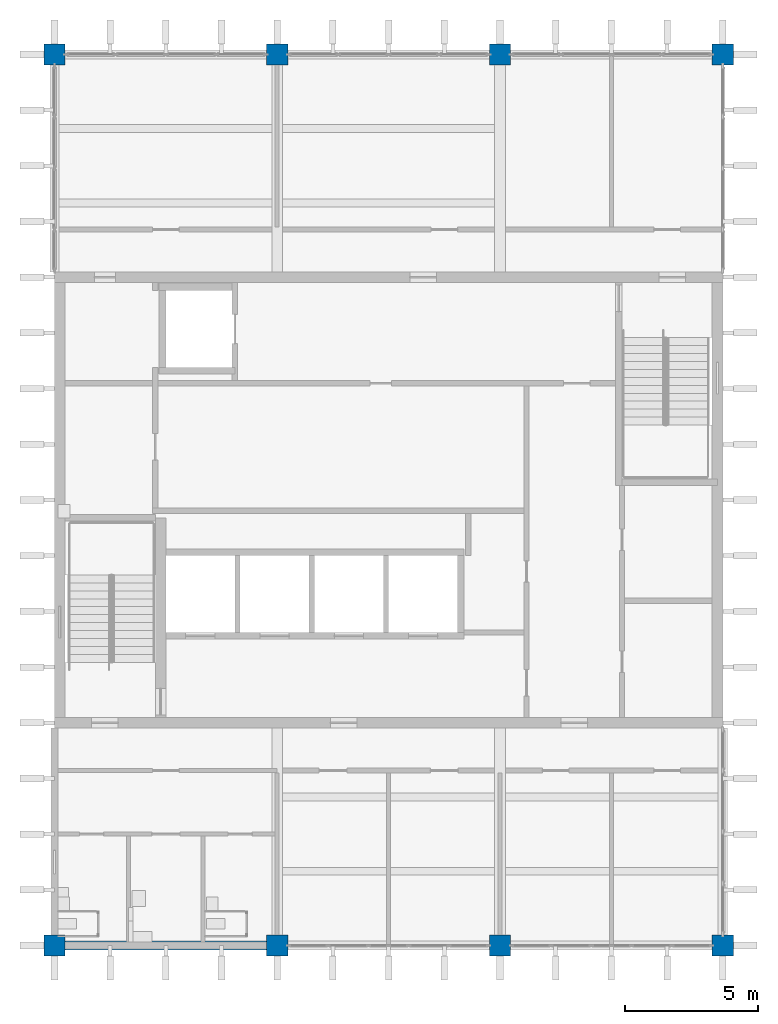
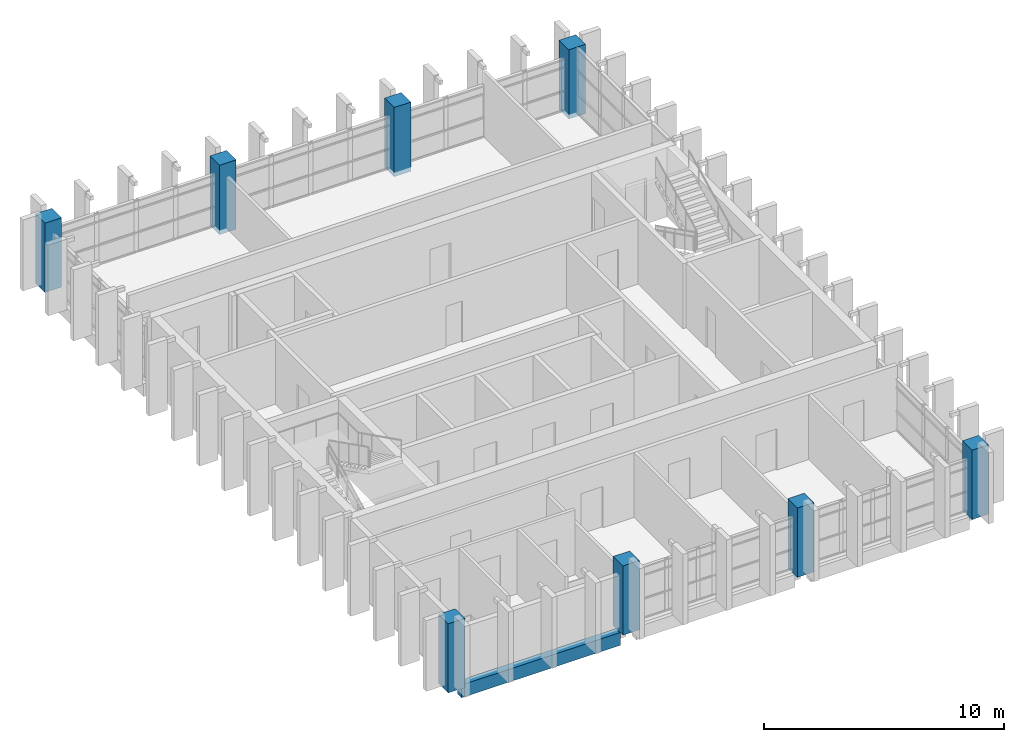
# One storey, part 1 of 11: 8 columns, 1 beam.
"""IFC4 building model written with IfcOpenShell, lengths in metres."""

import ifcopenshell
import ifcopenshell.guid

model = None  # the IFC model being written
_history = None  # IfcOwnerHistory: only IFC2X3 demands one
_inside = {}  # id of a spatial element -> (the spatial element, [elements in it])
_under = {}  # id of a project, library or spatial element -> (it, [spatial elements below it])
_declared = {}  # id of a project -> (the project, [libraries it declares])
_typed = {}  # id of a type object -> (the type object, [elements of that type])
_made_of = {}  # id of a material, layer set ... -> (it, [elements and type objects made of it])


def new_model(schema):
    """Start an empty IFC model of exactly this schema.

    Asked for "IFC4X3", IfcOpenShell would pick the latest addendum, in which some entities
    have other attributes; the version numbers below select the first issue.
    IFC2X3 requires an IfcOwnerHistory on every rooted entity: one is made here for all.
    """
    global model, _history
    if schema == "IFC4X3":
        model = ifcopenshell.file(schema_version=(4, 3, 0, 0))
    else:
        model = ifcopenshell.file(schema=schema)
    _inside.clear()
    _under.clear()
    _declared.clear()
    _typed.clear()
    _made_of.clear()
    _history = None
    if model.schema == "IFC2X3":
        org = make("IfcOrganization", Name="unknown")
        user = make(
            "IfcPersonAndOrganization",
            ThePerson=make("IfcPerson", FamilyName="unknown"),
            TheOrganization=org,
        )
        app = make(
            "IfcApplication",
            ApplicationDeveloper=org,
            Version="unknown",
            ApplicationFullName="unknown",
            ApplicationIdentifier="unknown",
        )
        _history = make(
            "IfcOwnerHistory",
            OwningUser=user,
            OwningApplication=app,
            ChangeAction="ADDED",
            CreationDate=0,
        )
    return model


def make(cls, **values):
    """One entity of the class cls with the attributes given. An attribute that is None is left unset."""
    return model.create_entity(
        cls, **{name: value for name, value in values.items() if value is not None}
    )


def rooted(cls, **values):
    """An entity with a GlobalId (a new one), such as an element, a storey or a relation."""
    return make(cls, GlobalId=ifcopenshell.guid.new(), OwnerHistory=_history, **values)


def si_unit(unit_type, name, prefix=None):
    """IfcSIUnit, for example si_unit("LENGTHUNIT", "METRE", prefix="MILLI")."""
    return make("IfcSIUnit", UnitType=unit_type, Prefix=prefix, Name=name)


def assignment(units):
    """IfcUnitAssignment: the units of a project."""
    return None if units is None else make("IfcUnitAssignment", Units=units)


def point(xyz):
    """IfcCartesianPoint."""
    return None if xyz is None else make("IfcCartesianPoint", Coordinates=xyz)


def direction(xyz):
    """IfcDirection."""
    return None if xyz is None else make("IfcDirection", DirectionRatios=xyz)


def frame(location, z_axis=None, x_axis=None):
    """IfcAxis2Placement3D, a coordinate frame: its origin and axes. An axis left out is left unset."""
    return make(
        "IfcAxis2Placement3D",
        Location=point(location),
        Axis=direction(z_axis),
        RefDirection=direction(x_axis),
    )


def frame_2d(location, x_axis=None):
    """IfcAxis2Placement2D, a coordinate frame in the plane: its origin and x axis."""
    return make(
        "IfcAxis2Placement2D", Location=point(location), RefDirection=direction(x_axis)
    )


def origin():
    """The frame at (0, 0, 0) with its axes left unset."""
    return frame((0.0, 0.0, 0.0))


def origin_2d():
    """The frame at (0, 0) in the plane with its x axis left unset."""
    return frame_2d((0.0, 0.0))


def place(relative_to, where):
    """IfcLocalPlacement: puts the frame where relative to a parent placement (None: the world)."""
    return make(
        "IfcLocalPlacement", PlacementRelTo=relative_to, RelativePlacement=where
    )


def context(
    kind, dimensions, precision=None, world=None, true_north=None, identifier=None
):
    """IfcGeometricRepresentationContext, for example the 3D "Model" context."""
    return make(
        "IfcGeometricRepresentationContext",
        ContextIdentifier=identifier,
        ContextType=kind,
        CoordinateSpaceDimension=dimensions,
        Precision=precision,
        WorldCoordinateSystem=world,
        TrueNorth=true_north,
    )


def subcontext(parent, identifier, kind, view, scale=None):
    """IfcGeometricRepresentationSubContext, for example "Body" below "Model"."""
    return make(
        "IfcGeometricRepresentationSubContext",
        ContextIdentifier=identifier,
        ContextType=kind,
        ParentContext=parent,
        TargetScale=scale,
        TargetView=view,
    )


def project(units=None, contexts=None):
    """IfcProject with its units and contexts."""
    return rooted(
        "IfcProject",
        Name="project",
        RepresentationContexts=contexts,
        UnitsInContext=assignment(units),
    )


def spatial(cls, under=None, at=None, **own):
    """A site, building, storey or space (cls), placed at a placement, below another one or the project."""
    s = rooted(cls, ObjectPlacement=at, **own)
    if under is not None:
        _under.setdefault(under.id(), (under, []))[1].append(s)
    return s


def profile(cls, at=None, kind="AREA", **sizes):
    """A parametric profile (cls). Its sizes go by their IFC names, for example OverallWidth=200.0."""
    return make(cls, ProfileType=kind, Position=at, **sizes)


def rectangle(**sizes):
    """IfcRectangleProfileDef."""
    return profile("IfcRectangleProfileDef", **sizes)


def extrude(swept, where, along, depth):
    """IfcExtrudedAreaSolid: the profile swept, set in the frame where, extruded along a direction by depth."""
    return make(
        "IfcExtrudedAreaSolid",
        SweptArea=swept,
        Position=where,
        ExtrudedDirection=direction(along),
        Depth=depth,
    )


def shape(context_of_items, identifier, shape_type, items):
    """IfcShapeRepresentation: the items that make up one representation, for example the "Body"."""
    return make(
        "IfcShapeRepresentation",
        ContextOfItems=context_of_items,
        RepresentationIdentifier=identifier,
        RepresentationType=shape_type,
        Items=items,
    )


def material(Name=None, Category=None):
    """IfcMaterial."""
    return make("IfcMaterial", Name=Name, Category=Category)


def material_profile(
    of_material, cross_section, Name=None, Category=None, Priority=None
):
    """IfcMaterialProfile: a cross section and its material."""
    return make(
        "IfcMaterialProfile",
        Name=Name,
        Material=of_material,
        Profile=cross_section,
        Priority=Priority,
        Category=Category,
    )


def profile_set(profiles, Name=None, composite=None):
    """IfcMaterialProfileSet."""
    return make(
        "IfcMaterialProfileSet",
        Name=Name,
        MaterialProfiles=profiles,
        CompositeProfile=composite,
    )


def made_of(thing, what):
    """Note that an element or type object is made of a material, layer set ...; save() writes the relation."""
    if what is not None:
        _made_of.setdefault(what.id(), (what, []))[1].append(thing)
    return thing


def type_object(cls, material=None, **own):
    """A type object (cls), such as IfcWallType, which elements share."""
    return made_of(rooted(cls, **own), material)


def element(
    cls,
    number,
    at=None,
    inside=None,
    cuts=None,
    type_object=None,
    material=None,
    context=None,
    identifier="Body",
    shape_type=None,
    held_by="IfcProductDefinitionShape",
    body=None,
    shapes=None,
    **own,
):
    """One element of the class cls, such as IfcWall. Its Tag is "e" and its number.

    at: its placement. inside: the storey or other place that contains it. cuts: it is an
    opening in that element (IfcRelVoidsElement). A single representation is given by context,
    identifier, shape_type and body (its items); several are given by shapes. held_by: the class
    of the entity that holds the representations. save() writes the other relations.
    """
    e = rooted(cls, Tag="e%d" % number, ObjectPlacement=at, **own)
    if body is not None:
        shapes = [shape(context, identifier, shape_type, body)]
    if shapes is not None:
        e.Representation = make(held_by, Representations=shapes)
    if inside is not None:
        _inside.setdefault(inside.id(), (inside, []))[1].append(e)
    if cuts is not None:
        rooted(
            "IfcRelVoidsElement", RelatingBuildingElement=cuts, RelatedOpeningElement=e
        )
    if type_object is not None:
        _typed.setdefault(type_object.id(), (type_object, []))[1].append(e)
    return made_of(e, material)


def aggregate(whole, parts):
    """IfcRelAggregates: a whole, such as a stair, and the parts it consists of."""
    return rooted("IfcRelAggregates", RelatingObject=whole, RelatedObjects=parts)


def save(model, path):
    """Write the relations noted so far, then the file.

    IfcRelAggregates (storeys below a building ...), IfcRelContainedInSpatialStructure (elements
    in a storey), IfcRelDefinesByType, IfcRelAssociatesMaterial and IfcRelDeclares: one each for
    every whole, place, type object, material and project.
    """
    for whole, parts in _under.values():
        aggregate(whole, parts)
    for where, things in _inside.values():
        rooted(
            "IfcRelContainedInSpatialStructure",
            RelatedElements=things,
            RelatingStructure=where,
        )
    for kind, things in _typed.values():
        rooted("IfcRelDefinesByType", RelatedObjects=things, RelatingType=kind)
    for what, things in _made_of.values():
        rooted("IfcRelAssociatesMaterial", RelatedObjects=things, RelatingMaterial=what)
    for by, libraries in _declared.values():
        rooted("IfcRelDeclares", RelatingContext=by, RelatedDefinitions=libraries)
    model.write(path)


model = new_model("IFC4")

# Units and contexts
model_context = context("Model", 3, precision=1e-05, world=origin(), true_north=direction((0.0, 1.0)))
body_context = subcontext(model_context, "Body", "Model", "MODEL_VIEW")
ifc_project = project(units=[si_unit("LENGTHUNIT", "METRE"), si_unit("AREAUNIT", "SQUARE_METRE"), si_unit("VOLUMEUNIT", "CUBIC_METRE"), si_unit("PLANEANGLEUNIT", "RADIAN"), si_unit("MASSUNIT", "GRAM", prefix="KILO")], contexts=[model_context])

# Site, building, storey
site_placement = place(None, origin())
site = spatial("IfcSite", under=ifc_project, at=site_placement, CompositionType="ELEMENT")
building_placement = place(site_placement, origin())
building = spatial("IfcBuilding", under=site, at=building_placement, Name="Rulbaag Community and Learning Centre", CompositionType="ELEMENT")
storey_placement = place(building_placement, frame((0.0, 0.0, 46.800048828125)))
storey = spatial("IfcBuildingStorey", under=building, at=storey_placement, Name="L12", CompositionType="ELEMENT", Elevation=46.800048828125)

# Columns
ifc_material_1 = material(Name="Concrete M60", Category="concrete")
ifc_material_profile_1 = material_profile(ifc_material_1, rectangle(XDim=0.800048828125, YDim=0.800048828125, at=origin_2d()), Name="RC800x800")
ifc_profile_set_1 = profile_set([ifc_material_profile_1], Name="Concrete M60")
column_type = type_object("IfcColumnType", Name="C4 Column 800x800 Concrete M60", PredefinedType="COLUMN", material=ifc_profile_set_1)
for number, where, z_axis, x_axis, name in (
    (1, (142.800048828125, 84.0, -0.22509765625), (0.0, 0.0, 1.0), (1.0, 0.0, 0.0), "COL-18K-L12"),
    (2, (142.800048828125, 117.60009765625, -0.22509765625), (0.0, 0.0, 1.0), (1.0, 0.0, 0.0), "COL-18O-L12"),
    (3, (151.199951171875, 84.0, -0.22509765625), (0.0, 0.0, 1.0), (1.0, 0.0, 0.0), "COL-19K-L12"),
    (4, (151.199951171875, 117.60009765625, -0.22509765625), (0.0, 0.0, 1.0), (1.0, 0.0, 0.0), "COL-19O-L12"),
    (5, (159.60009765625, 84.0, -0.22509765625), (0.0, 0.0, 1.0), (1.0, 0.0, 0.0), "COL-20K-L12"),
    (6, (159.60009765625, 117.60009765625, -0.22509765625), (0.0, 0.0, 1.0), (1.0, 0.0, 0.0), "COL-20O-L12"),
    (7, (168.0, 84.0, -0.22509765625), (0.0, 0.0, 1.0), (1.0, 0.0, 0.0), "COL-21K-L12"),
    (8, (168.0, 117.60009765625, -0.22509765625), (0.0, 0.0, 1.0), (1.0, 0.0, 0.0), "COL-21O-L12"),
):
    element("IfcColumn", number, at=place(storey_placement, frame(where, z_axis=z_axis, x_axis=x_axis)), inside=storey, type_object=column_type, Name=name, PredefinedType="COLUMN", context=body_context, shape_type="SweptSolid", body=[
        extrude(rectangle(XDim=0.800048828125, YDim=0.800048828125, at=origin_2d()), origin(), (0.0, 0.0, 1.0), 3.525146484375),
    ])

# Beam
ifc_material_2 = material(Name="Concrete M40", Category="concrete")
ifc_material_profile_2 = material_profile(ifc_material_2, rectangle(XDim=0.35009765625, YDim=0.64990234375, at=origin_2d()), Name="RB350x650")
ifc_profile_set_2 = profile_set([ifc_material_profile_2], Name="Concrete M40")
beam_type = type_object("IfcBeamType", Name="B14 Tower edge beam, upper zone 350x650 Concrete M40", PredefinedType="BEAM", material=ifc_profile_set_2)
beam_placement = place(storey_placement, frame((143.179931640625, 84.0, -0.550048828125), z_axis=(1.0, 0.0, 0.0), x_axis=(0.0, 1.0, 0.0)))
element("IfcBeam", 9, at=beam_placement, inside=storey, type_object=beam_type, Name="BM-L12-18K-19K", PredefinedType="BEAM", context=body_context, shape_type="SweptSolid", body=[
    extrude(rectangle(XDim=0.35009765625, YDim=0.64990234375, at=origin_2d()), origin(), (0.0, 0.0, 1.0), 7.64013671875),
])

save(model, "model.ifc")
